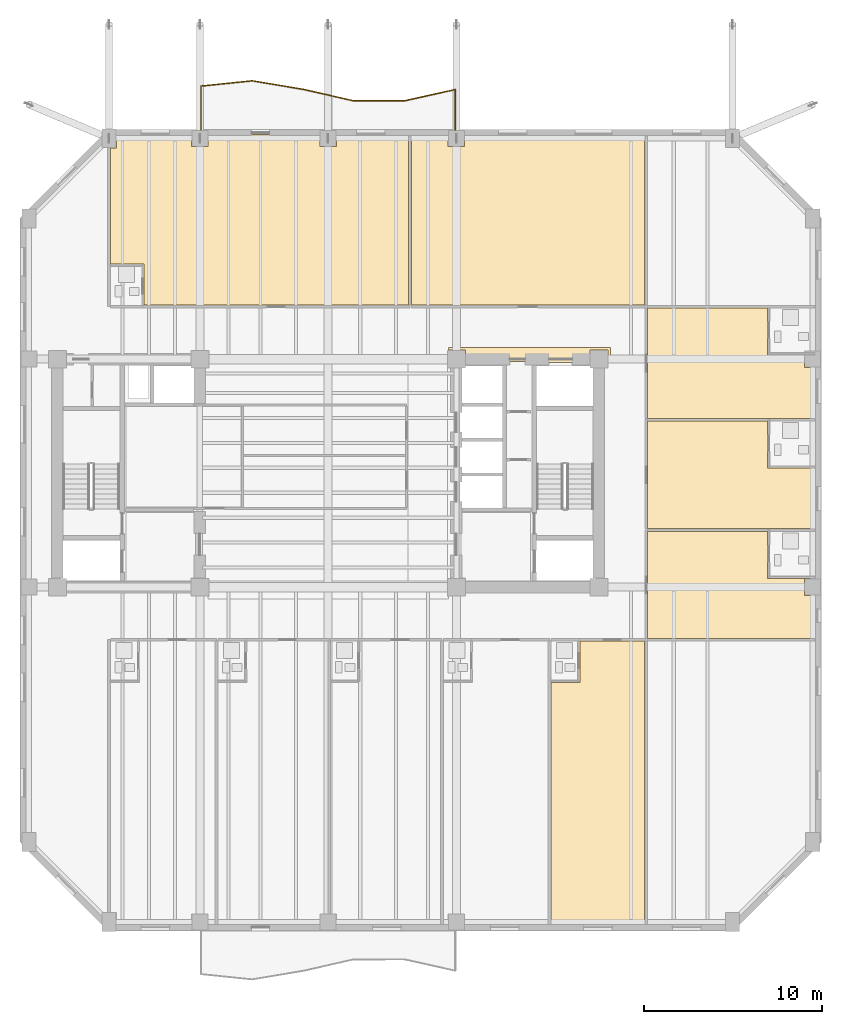
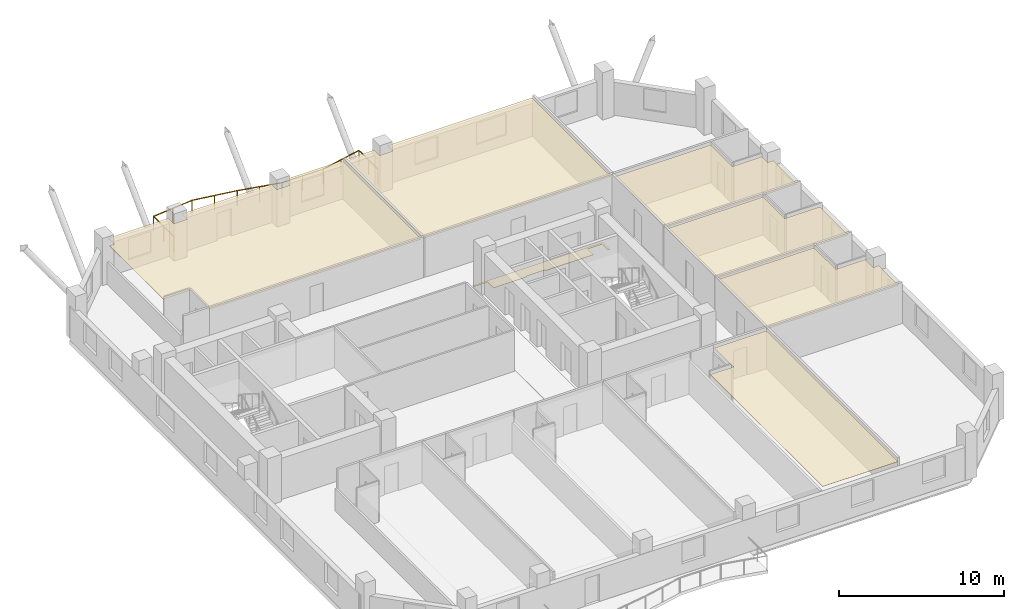
# One storey, part 11 of 12: 7 coverings, 1 railing.
"""IFC4 building model written with IfcOpenShell, lengths in metres."""

from ifc_helpers import new_model, si_unit, direction, frame, origin, origin_2d, place, context, subcontext, project, spatial, polyline, circle, outline, extrude, material, layer, layer_set, type_object, element, save


model = new_model("IFC4")

# Units and contexts
model_context = context("Model", 3, precision=1e-05, world=origin(), true_north=direction((0.0, 1.0)))
body_context = subcontext(model_context, "Body", "Model", "MODEL_VIEW")
ifc_project = project(units=[si_unit("LENGTHUNIT", "METRE"), si_unit("AREAUNIT", "SQUARE_METRE"), si_unit("VOLUMEUNIT", "CUBIC_METRE"), si_unit("PLANEANGLEUNIT", "RADIAN"), si_unit("MASSUNIT", "GRAM", prefix="KILO")], contexts=[model_context])

# Site, building, storey
site_placement = place(None, origin())
site = spatial("IfcSite", under=ifc_project, at=site_placement, CompositionType="ELEMENT")
building_placement = place(site_placement, origin())
building = spatial("IfcBuilding", under=site, at=building_placement, Name="Kranthara Brick Stack", CompositionType="ELEMENT")
storey_placement = place(building_placement, frame((0.0, 0.0, 158.800048828125)))
storey = spatial("IfcBuildingStorey", under=building, at=storey_placement, Name="L40", CompositionType="ELEMENT", Elevation=158.800048828125)

# Coverings
ifc_material_1 = material(Name="Perforated mineral-fibre acoustic ceiling tile", Category="other")
ifc_layer_1 = layer(ifc_material_1, 0.02490234375)
ifc_layer_set_1 = layer_set([ifc_layer_1], Name="Perforated mineral-fibre acoustic ceiling tile")
covering_type_1 = type_object("IfcCoveringType", Name="COV-CEIL-ACOUSTIC", PredefinedType="CEILING", material=ifc_layer_set_1)
covering_1_placement = place(storey_placement, frame((0.0, 0.0, 2.780029296875)))
element("IfcCovering", 1, at=covering_1_placement, inside=storey, type_object=covering_type_1, Name="L40 Room L40-05 Corner Junior Suite Acoustic Ceiling", PredefinedType="CEILING", context=body_context, shape_type="SweptSolid", body=[
    extrude(outline(polyline([(40.5029296875, 1.800048828125), (45.77001953125, 1.800048828125), (45.77001953125, 17.77001953125), (42.133056640625, 17.77001953125), (42.133056640625, 15.4599609375), (40.5029296875, 15.4599609375), (40.5029296875, 1.800048828125)])), origin(), (0.0, 0.0, 1.0), 0.02490234375),
])
covering_2_placement = place(storey_placement, frame((0.0, 0.0, 2.780029296875)))
element("IfcCovering", 2, at=covering_2_placement, inside=storey, type_object=covering_type_1, Name="L40 Room L40-06 Corner Junior Suite Acoustic Ceiling", PredefinedType="CEILING", context=body_context, shape_type="SweptSolid", body=[
    extrude(outline(polyline([(17.659912109375, 36.6298828125), (17.659912109375, 38.93994140625), (15.780029296875, 38.93994140625), (15.780029296875, 45.465087890625), (16.110107421875, 45.465087890625), (16.110107421875, 46.199951171875), (20.340087890625, 46.199951171875), (20.340087890625, 45.5400390625), (21.260009765625, 45.5400390625), (21.260009765625, 46.199951171875), (27.5400390625, 46.199951171875), (27.5400390625, 45.5400390625), (28.4599609375, 45.5400390625), (28.4599609375, 46.199951171875), (32.50390625, 46.199951171875), (32.50390625, 36.6298828125), (17.659912109375, 36.6298828125)])), origin(), (0.0, 0.0, 1.0), 0.02490234375),
])
covering_3_placement = place(storey_placement, frame((0.0, 0.0, 2.780029296875)))
element("IfcCovering", 3, at=covering_3_placement, inside=storey, type_object=covering_type_1, Name="L40 L40 Guest Sky Lounge 7 Acoustic Ceiling", PredefinedType="CEILING", context=body_context, shape_type="SweptSolid", body=[
    extrude(outline(polyline([(45.77001953125, 46.199951171875), (45.77001953125, 36.6298828125), (32.6640625, 36.6298828125), (32.6640625, 46.199951171875), (34.739990234375, 46.199951171875), (34.739990234375, 45.5400390625), (35.659912109375, 45.5400390625), (35.659912109375, 46.199951171875), (45.77001953125, 46.199951171875)])), origin(), (0.0, 0.0, 1.0), 0.02490234375),
])
covering_4_placement = place(storey_placement, frame((0.0, 0.0, 2.780029296875)))
element("IfcCovering", 4, at=covering_4_placement, inside=storey, type_object=covering_type_1, Name="L40 Room L40-08 Hotel Guest Room Acoustic Ceiling", PredefinedType="CEILING", context=body_context, shape_type="SweptSolid", body=[
    extrude(outline(polyline([(55.1298828125, 17.929931640625), (45.919921875, 17.929931640625), (45.919921875, 23.919921875), (52.669921875, 23.919921875), (52.669921875, 21.2900390625), (55.1298828125, 21.2900390625), (55.1298828125, 21.260009765625), (54.739990234375, 21.260009765625), (54.739990234375, 20.340087890625), (55.1298828125, 20.340087890625), (55.1298828125, 17.929931640625)])), origin(), (0.0, 0.0, 1.0), 0.02490234375),
])
covering_5_placement = place(storey_placement, frame((0.0, 0.0, 2.780029296875)))
element("IfcCovering", 5, at=covering_5_placement, inside=storey, type_object=covering_type_1, Name="L40 Room L40-09 Hotel Guest Room Acoustic Ceiling", PredefinedType="CEILING", context=body_context, shape_type="SweptSolid", body=[
    extrude(outline(polyline([(45.919921875, 24.080078125), (55.1298828125, 24.080078125), (55.1298828125, 27.489990234375), (52.669921875, 27.489990234375), (52.669921875, 30.1201171875), (45.919921875, 30.1201171875), (45.919921875, 24.080078125)])), origin(), (0.0, 0.0, 1.0), 0.02490234375),
])
covering_6_placement = place(storey_placement, frame((0.0, 0.0, 2.780029296875)))
element("IfcCovering", 6, at=covering_6_placement, inside=storey, type_object=covering_type_1, Name="L40 Room L40-10 Hotel Guest Room Acoustic Ceiling", PredefinedType="CEILING", context=body_context, shape_type="SweptSolid", body=[
    extrude(outline(polyline([(55.1298828125, 30.280029296875), (45.919921875, 30.280029296875), (45.919921875, 36.469970703125), (52.669921875, 36.469970703125), (52.669921875, 33.840087890625), (54.739990234375, 33.840087890625), (54.739990234375, 33.139892578125), (55.1298828125, 33.139892578125), (55.1298828125, 30.280029296875)])), origin(), (0.0, 0.0, 1.0), 0.02490234375),
])
ifc_material_2 = material(Name="Honed terrazzo and porcelain floor finish", Category="stone")
ifc_layer_2 = layer(ifc_material_2, 0.030029296875)
ifc_layer_set_2 = layer_set([ifc_layer_2], Name="Honed terrazzo and porcelain floor finish")
covering_type_2 = type_object("IfcCoveringType", Name="COV-FLOR-STONE", PredefinedType="FLOORING", material=ifc_layer_set_2)
covering_7_placement = place(storey_placement, origin())
element("IfcCovering", 7, at=covering_7_placement, inside=storey, type_object=covering_type_2, Name="L40 Lift Lobby Stone Flooring", PredefinedType="FLOORING", context=body_context, shape_type="SweptSolid", body=[
    extrude(outline(polyline([(43.7099609375, 33.39990234375), (43.7099609375, 34.110107421875), (42.68994140625, 34.110107421875), (42.68994140625, 33.39990234375), (39.35009765625, 33.39990234375), (39.35009765625, 33.47998046875), (38.050048828125, 33.47998046875), (38.050048828125, 33.39990234375), (35.7099609375, 33.39990234375), (35.7099609375, 34.110107421875), (34.75, 34.110107421875), (34.75, 34.25), (43.85009765625, 34.25), (43.85009765625, 33.39990234375), (43.7099609375, 33.39990234375)])), origin(), (0.0, 0.0, 1.0), 0.030029296875),
])

# Railing
ifc_material_3 = material(Name="Bronze anodised aluminium and laminated glass balustrade", Category="aluminium")
railing_type = type_object("IfcRailingType", Name="RL-BALC-1120", PredefinedType="BALUSTRADE", material=ifc_material_3)
railing_placement = place(storey_placement, frame((20.860107421875, 46.43994140625, 0.0)))
element("IfcRailing", 8, at=railing_placement, inside=storey, type_object=railing_type, Name="L40 North Rippling Balcony Balustrade", PredefinedType="BALUSTRADE", context=body_context, shape_type="SweptSolid", body=[
    extrude(circle(Radius=0.02392578125, at=origin_2d()), frame((0.0, 0.0, 1.09619140625), z_axis=(-0.000196039988, 0.999999980784, 0.0), x_axis=(-0.999999980784, -0.000196039988, 0.0)), (0.0, 0.0, 1.0), 2.49072265625),
    extrude(circle(Radius=0.02392578125, at=origin_2d()), frame((-0.00048828125, 2.49072265625, 1.09619140625), z_axis=(0.994688815746, 0.102927935132, 0.0), x_axis=(-0.102927935132, 0.994688815746, 0.0)), (0.0, 0.0, 1.0), 2.893798828125),
    extrude(circle(Radius=0.02392578125, at=origin_2d()), frame((2.8779296875, 2.78857421875, 1.09619140625), z_axis=(0.986266935249, -0.165159112481, 0.0), x_axis=(0.165159112481, 0.986266935249, 0.0)), (0.0, 0.0, 1.0), 2.91650390625),
    extrude(circle(Radius=0.02392578125, at=origin_2d()), frame((5.75439453125, 2.306884765625, 1.09619140625), z_axis=(0.974896418621, -0.222658871279, 0.0), x_axis=(0.222658871279, 0.974896418621, 0.0)), (0.0, 0.0, 1.0), 2.836669921875),
    extrude(circle(Radius=0.02392578125, at=origin_2d()), frame((8.519775390625, 1.67529296875, 1.09619140625), z_axis=(0.99998618976, -0.00525550087, 0.0), x_axis=(0.00525550087, 0.99998618976, 0.0)), (0.0, 0.0, 1.0), 2.880126953125),
    extrude(circle(Radius=0.02392578125, at=origin_2d()), frame((11.39990234375, 1.66015625, 1.09619140625), z_axis=(0.976231823115, 0.2167289264, 0.0), x_axis=(-0.2167289264, 0.976231823115, 0.0)), (0.0, 0.0, 1.0), 2.9501953125),
    extrude(circle(Radius=0.02392578125, at=origin_2d()), frame((14.280029296875, 2.299560546875, 1.09619140625), z_axis=(-0.000106168382, -0.999999994364, 0.0), x_axis=(0.999999994364, -0.000106168382, 0.0)), (0.0, 0.0, 1.0), 2.299560546875),
    extrude(circle(Radius=0.02099609375, at=origin_2d()), origin(), (0.0, 0.0, 1.0), 1.072021484375),
    extrude(circle(Radius=0.02099609375, at=origin_2d()), frame((-0.000244140625, 1.245361328125, 0.0)), (0.0, 0.0, 1.0), 1.072021484375),
    extrude(circle(Radius=0.02099609375, at=origin_2d()), frame((-0.00048828125, 2.49072265625, 0.0)), (0.0, 0.0, 1.0), 1.072021484375),
    extrude(circle(Radius=0.02099609375, at=origin_2d()), frame((1.438720703125, 2.6396484375, 0.0)), (0.0, 0.0, 1.0), 1.072021484375),
    extrude(circle(Radius=0.02099609375, at=origin_2d()), frame((2.8779296875, 2.78857421875, 0.0)), (0.0, 0.0, 1.0), 1.072021484375),
    extrude(circle(Radius=0.02099609375, at=origin_2d()), frame((4.316162109375, 2.5478515625, 0.0)), (0.0, 0.0, 1.0), 1.072021484375),
    extrude(circle(Radius=0.02099609375, at=origin_2d()), frame((5.75439453125, 2.306884765625, 0.0)), (0.0, 0.0, 1.0), 1.072021484375),
    extrude(circle(Radius=0.02099609375, at=origin_2d()), frame((7.13720703125, 1.9912109375, 0.0)), (0.0, 0.0, 1.0), 1.072021484375),
    extrude(circle(Radius=0.02099609375, at=origin_2d()), frame((8.519775390625, 1.67529296875, 0.0)), (0.0, 0.0, 1.0), 1.072021484375),
    extrude(circle(Radius=0.02099609375, at=origin_2d()), frame((9.9599609375, 1.667724609375, 0.0)), (0.0, 0.0, 1.0), 1.072021484375),
    extrude(circle(Radius=0.02099609375, at=origin_2d()), frame((11.39990234375, 1.66015625, 0.0)), (0.0, 0.0, 1.0), 1.072021484375),
    extrude(circle(Radius=0.02099609375, at=origin_2d()), frame((12.83984375, 1.97998046875, 0.0)), (0.0, 0.0, 1.0), 1.072021484375),
    extrude(circle(Radius=0.02099609375, at=origin_2d()), frame((14.280029296875, 2.299560546875, 0.0)), (0.0, 0.0, 1.0), 1.072021484375),
    extrude(circle(Radius=0.02099609375, at=origin_2d()), frame((14.27978515625, 1.14990234375, 0.0)), (0.0, 0.0, 1.0), 1.072021484375),
    extrude(circle(Radius=0.02099609375, at=origin_2d()), frame((14.27978515625, 0.0, 0.0)), (0.0, 0.0, 1.0), 1.072021484375),
])

save(model, "model.ifc")
